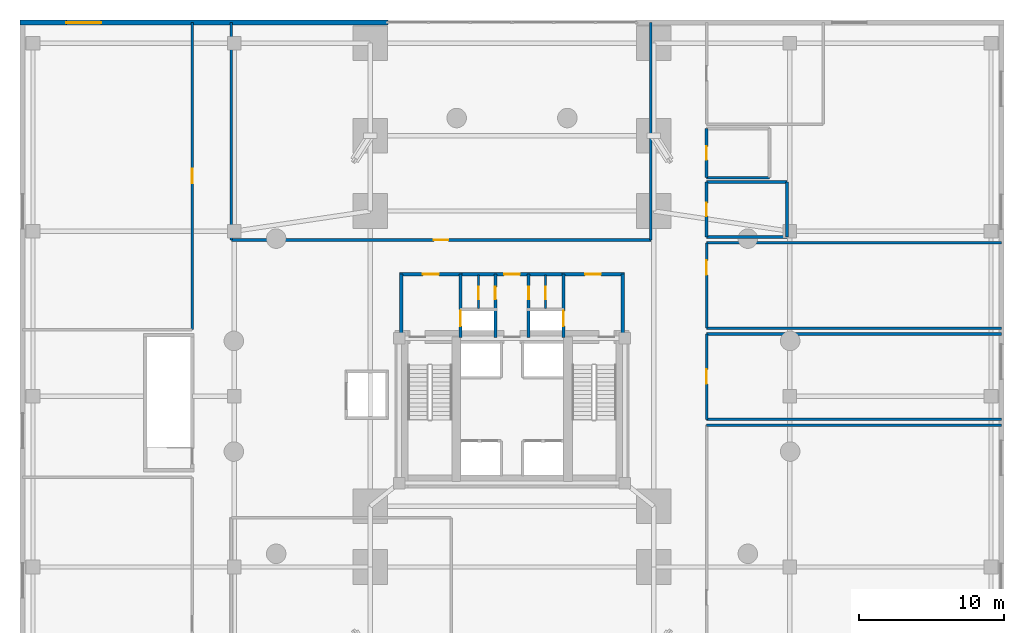
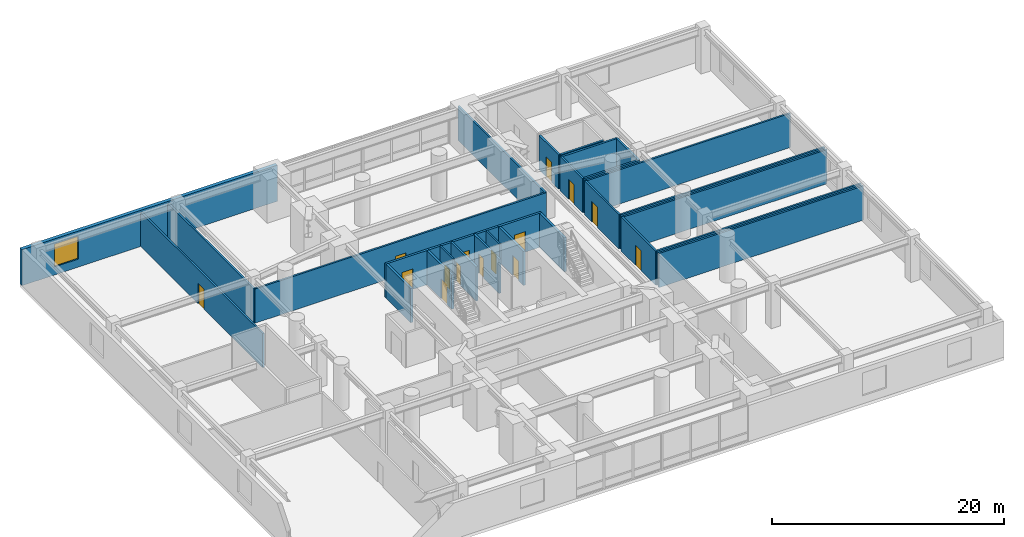
# One storey, part 15 of 17: 29 walls, 15 doors, 1 window, 16 openings.
"""IFC4 building model written with IfcOpenShell, lengths in metres."""

from ifc_helpers import new_model, si_unit, direction, frame, frame_2d, origin, place, context, subcontext, project, spatial, rectangle, extrude, material, layer, layer_set, type_object, element, fill, save


model = new_model("IFC4")

# Units and contexts
model_context = context("Model", 3, precision=1e-05, world=origin(), true_north=direction((0.0, 1.0)))
body_context = subcontext(model_context, "Body", "Model", "MODEL_VIEW")
ifc_project = project(units=[si_unit("LENGTHUNIT", "METRE"), si_unit("AREAUNIT", "SQUARE_METRE"), si_unit("VOLUMEUNIT", "CUBIC_METRE"), si_unit("PLANEANGLEUNIT", "RADIAN"), si_unit("MASSUNIT", "GRAM", prefix="KILO"), si_unit("THERMODYNAMICTEMPERATUREUNIT", "KELVIN"), si_unit("POWERUNIT", "WATT")], contexts=[model_context])

# Site, building, storey
site_placement = place(None, origin())
site = spatial("IfcSite", under=ifc_project, at=site_placement, CompositionType="ELEMENT")
building_placement = place(site_placement, origin())
building = spatial("IfcBuilding", under=site, at=building_placement, Name="Ocrelia Relay Tower", CompositionType="ELEMENT")
storey_placement = place(building_placement, frame((0.0, 0.0, 25.199951171875)))
storey = spatial("IfcBuildingStorey", under=building, at=storey_placement, Name="L05", CompositionType="ELEMENT", Elevation=25.199951171875)

# Wall, opening, door
ifc_material_1 = material(Name="Gypsum Fireboard Partition EI60", Category="gypsum")
ifc_layer_1 = layer(ifc_material_1, 0.179931640625, Name="Gypsum Fireboard Partition EI60")
ifc_layer_set_1 = layer_set([ifc_layer_1], Name="Gypsum Fireboard Partition EI60")
wall_type_1 = type_object("IfcWallType", Name="W-CORR-EI60-180", PredefinedType="PARTITIONING", material=ifc_layer_set_1)
wall_1_placement = place(storey_placement, frame((11.89990234375, 30.60009765625, 0.0), z_axis=(0.0, 0.0, 1.0), x_axis=(0.0, 1.0, 0.0)))
wall_1 = element("IfcWall", 1, at=wall_1_placement, inside=storey, type_object=wall_type_1, Name="L05 Customer Commissioning Laboratory E Partition", PredefinedType="PARTITIONING", context=body_context, shape_type="SweptSolid", body=[
    extrude(rectangle(XDim=21.219970703125, YDim=0.179931640625, at=frame_2d((10.60986328125, 0.0))), origin(), (0.0, 0.0, 1.0), 3.60009765625),
])
opening_1_placement = place(wall_1_placement, frame((10.110107421875, 0.0, 0.0)))
opening_1 = element("IfcOpeningElement", 2, at=opening_1_placement, cuts=wall_1, Name="Opening D-RM100", PredefinedType="OPENING", context=body_context, shape_type="SweptSolid", body=[
    extrude(rectangle(XDim=1.0, YDim=2.14990234375, at=frame_2d((0.5, 1.074951171875))), frame((0.0, 0.10009765625, 0.0), z_axis=(0.0, -1.0, 0.0), x_axis=(1.0, 0.0, 0.0)), (0.0, 0.0, 1.0), 0.199951171875),
])
ifc_material_2 = material(Name="Acoustic oak veneer fire door", Category="wood")
door_type_1 = type_object("IfcDoorType", Name="DR-ROOM-FD60-1000", OperationType="NOTDEFINED", PredefinedType="DOOR", material=ifc_material_2)
door_1_placement = place(opening_1_placement, origin())
door_1 = element("IfcDoor", 3, at=door_1_placement, inside=storey, type_object=door_type_1, Name="L05 Customer Commissioning Laboratory Door", OperationType="SINGLE_SWING_LEFT", OverallHeight=2.14990234375, OverallWidth=1.0, PredefinedType="DOOR", context=body_context, shape_type="SweptSolid", body=[
    extrude(rectangle(XDim=1.0, YDim=2.14990234375, at=frame_2d((0.5, 1.074951171875))), frame((0.0, 0.02490234375, 0.0), z_axis=(0.0, -1.0, 0.0), x_axis=(1.0, 0.0, 0.0)), (0.0, 0.0, 1.0), 0.050048828125),
])
fill(opening_1, door_1)

wall_2_placement = place(storey_placement, frame((14.60009765625, 36.800048828125, 0.0), z_axis=(0.0, 0.0, 1.0), x_axis=(1.0, 0.0, 0.0)))
wall_2 = element("IfcWall", 4, at=wall_2_placement, inside=storey, type_object=wall_type_1, Name="L05 North Executive Seminar Hall S Partition", PredefinedType="PARTITIONING", context=body_context, shape_type="SweptSolid", body=[
    extrude(rectangle(XDim=29.0, YDim=0.179931640625, at=frame_2d((14.5, 0.0))), origin(), (0.0, 0.0, 1.0), 3.60009765625),
])
opening_2_placement = place(wall_2_placement, frame((14.0, 0.0, 0.0)))
opening_2 = element("IfcOpeningElement", 5, at=opening_2_placement, cuts=wall_2, Name="Opening D-RM100", PredefinedType="OPENING", context=body_context, shape_type="SweptSolid", body=[
    extrude(rectangle(XDim=1.0, YDim=2.14990234375, at=frame_2d((0.5, 1.074951171875))), frame((0.0, 0.10009765625, 0.0), z_axis=(0.0, -1.0, 0.0), x_axis=(1.0, 0.0, 0.0)), (0.0, 0.0, 1.0), 0.199951171875),
])
door_2_placement = place(opening_2_placement, origin())
door_2 = element("IfcDoor", 6, at=door_2_placement, inside=storey, type_object=door_type_1, Name="L05 North Executive Seminar Hall Door", OperationType="SINGLE_SWING_LEFT", OverallHeight=2.14990234375, OverallWidth=1.0, PredefinedType="DOOR", context=body_context, shape_type="SweptSolid", body=[
    extrude(rectangle(XDim=1.0, YDim=2.14990234375, at=frame_2d((0.5, 1.074951171875))), frame((0.0, 0.02490234375, 0.0), z_axis=(0.0, -1.0, 0.0), x_axis=(1.0, 0.0, 0.0)), (0.0, 0.0, 1.0), 0.050048828125),
])
fill(opening_2, door_2)

# Walls
for number, where, z_axis, x_axis, name in (
    (7, (43.60009765625, 36.800048828125, 0.0), (0.0, 0.0, 1.0), (0.0, 1.0, 0.0), "L05 North Executive Seminar Hall E Partition"),
    (8, (14.60009765625, 51.820068359375, 0.0), (0.0, 0.0, 1.0), (0.0, -1.0, 0.0), "L05 North Executive Seminar Hall W Partition"),
):
    element("IfcWall", number, at=place(storey_placement, frame(where, z_axis=z_axis, x_axis=x_axis)), inside=storey, type_object=wall_type_1, Name=name, PredefinedType="PARTITIONING", context=body_context, shape_type="SweptSolid", body=[
        extrude(rectangle(XDim=15.02001953125, YDim=0.179931640625, at=frame_2d((7.510009765625, 0.0))), origin(), (0.0, 0.0, 1.0), 3.60009765625),
    ])
wall_3_placement = place(storey_placement, frame((67.820068359375, 24.0, 0.0), z_axis=(0.0, 0.0, 1.0), x_axis=(-1.0, 0.0, 0.0)))
element("IfcWall", 9, at=wall_3_placement, inside=storey, type_object=wall_type_1, Name="L05 Colocation Operations Support Office N Partition", PredefinedType="PARTITIONING", context=body_context, shape_type="SweptSolid", body=[
    extrude(rectangle(XDim=20.3701171875, YDim=0.179931640625, at=frame_2d((10.18505859375, 0.0))), origin(), (0.0, 0.0, 1.0), 3.60009765625),
])

# Wall, opening, door
wall_4_placement = place(storey_placement, frame((47.449951171875, 30.300048828125, 0.0), z_axis=(0.0, 0.0, 1.0), x_axis=(0.0, -1.0, 0.0)))
wall_4 = element("IfcWall", 10, at=wall_4_placement, inside=storey, type_object=wall_type_1, Name="L05 Client Hospitality Lounge W Partition", PredefinedType="PARTITIONING", context=body_context, shape_type="SweptSolid", body=[
    extrude(rectangle(XDim=5.900146484375, YDim=0.179931640625, at=frame_2d((2.9501953125, 0.0))), origin(), (0.0, 0.0, 1.0), 3.60009765625),
])
opening_3_placement = place(wall_4_placement, frame((2.449951171875, 0.0, 0.0)))
opening_3 = element("IfcOpeningElement", 11, at=opening_3_placement, cuts=wall_4, Name="Opening D-RM100", PredefinedType="OPENING", context=body_context, shape_type="SweptSolid", body=[
    extrude(rectangle(XDim=1.0, YDim=2.14990234375, at=frame_2d((0.5, 1.074951171875))), frame((0.0, 0.10009765625, 0.0), z_axis=(0.0, -1.0, 0.0), x_axis=(1.0, 0.0, 0.0)), (0.0, 0.0, 1.0), 0.199951171875),
])
door_3_placement = place(opening_3_placement, origin())
door_3 = element("IfcDoor", 12, at=door_3_placement, inside=storey, type_object=door_type_1, Name="L05 Client Hospitality Lounge Door", OperationType="SINGLE_SWING_LEFT", OverallHeight=2.14990234375, OverallWidth=1.0, PredefinedType="DOOR", context=body_context, shape_type="SweptSolid", body=[
    extrude(rectangle(XDim=1.0, YDim=2.14990234375, at=frame_2d((0.5, 1.074951171875))), frame((0.0, 0.02490234375, 0.0), z_axis=(0.0, -1.0, 0.0), x_axis=(1.0, 0.0, 0.0)), (0.0, 0.0, 1.0), 0.050048828125),
])
fill(opening_3, door_3)

# Walls
for number, where, z_axis, x_axis, name in (
    (13, (47.449951171875, 24.39990234375, 0.0), (0.0, 0.0, 1.0), (1.0, 0.0, 0.0), "L05 Client Hospitality Lounge S Partition"),
    (14, (67.820068359375, 30.300048828125, 0.0), (0.0, 0.0, 1.0), (-1.0, 0.0, 0.0), "L05 Client Hospitality Lounge N Partition"),
):
    element("IfcWall", number, at=place(storey_placement, frame(where, z_axis=z_axis, x_axis=x_axis)), inside=storey, type_object=wall_type_1, Name=name, PredefinedType="PARTITIONING", context=body_context, shape_type="SweptSolid", body=[
        extrude(rectangle(XDim=20.3701171875, YDim=0.179931640625, at=frame_2d((10.18505859375, 0.0))), origin(), (0.0, 0.0, 1.0), 3.60009765625),
    ])

# Wall, opening, door
wall_5_placement = place(storey_placement, frame((47.449951171875, 36.60009765625, 0.0), z_axis=(0.0, 0.0, 1.0), x_axis=(0.0, -1.0, 0.0)))
wall_5 = element("IfcWall", 15, at=wall_5_placement, inside=storey, type_object=wall_type_1, Name="L05 East Skylit Atrium Gallery W Partition", PredefinedType="PARTITIONING", context=body_context, shape_type="SweptSolid", body=[
    extrude(rectangle(XDim=5.900146484375, YDim=0.179931640625, at=frame_2d((2.9501953125, 0.0))), origin(), (0.0, 0.0, 1.0), 3.60009765625),
])
opening_4_placement = place(wall_5_placement, frame((1.219970703125, 0.0, 0.0)))
opening_4 = element("IfcOpeningElement", 16, at=opening_4_placement, cuts=wall_5, Name="Opening D-RM100", PredefinedType="OPENING", context=body_context, shape_type="SweptSolid", body=[
    extrude(rectangle(XDim=1.0, YDim=2.14990234375, at=frame_2d((0.5, 1.074951171875))), frame((0.0, 0.10009765625, 0.0), z_axis=(0.0, -1.0, 0.0), x_axis=(1.0, 0.0, 0.0)), (0.0, 0.0, 1.0), 0.199951171875),
])
door_4_placement = place(opening_4_placement, origin())
door_4 = element("IfcDoor", 17, at=door_4_placement, inside=storey, type_object=door_type_1, Name="L05 East Skylit Atrium Gallery Door", OperationType="SINGLE_SWING_RIGHT", OverallHeight=2.14990234375, OverallWidth=1.0, PredefinedType="DOOR", context=body_context, shape_type="SweptSolid", body=[
    extrude(rectangle(XDim=1.0, YDim=2.14990234375, at=frame_2d((0.5, 1.074951171875))), frame((0.0, 0.02490234375, 0.0), z_axis=(0.0, -1.0, 0.0), x_axis=(1.0, 0.0, 0.0)), (0.0, 0.0, 1.0), 0.050048828125),
])
fill(opening_4, door_4)

# Walls
for number, where, z_axis, x_axis, name in (
    (18, (47.449951171875, 30.699951171875, 0.0), (0.0, 0.0, 1.0), (1.0, 0.0, 0.0), "L05 East Skylit Atrium Gallery S Partition"),
    (19, (67.820068359375, 36.60009765625, 0.0), (0.0, 0.0, 1.0), (-1.0, 0.0, 0.0), "L05 East Skylit Atrium Gallery N Partition"),
):
    element("IfcWall", number, at=place(storey_placement, frame(where, z_axis=z_axis, x_axis=x_axis)), inside=storey, type_object=wall_type_1, Name=name, PredefinedType="PARTITIONING", context=body_context, shape_type="SweptSolid", body=[
        extrude(rectangle(XDim=20.3701171875, YDim=0.179931640625, at=frame_2d((10.18505859375, 0.0))), origin(), (0.0, 0.0, 1.0), 3.60009765625),
    ])

# Wall, opening, window
ifc_material_3 = material(Name="Precast concrete C40/50 with oxide terracotta", Category="masonry")
ifc_layer_2 = layer(ifc_material_3, 0.35009765625, Name="Precast concrete C40/50 with oxide terracotta")
ifc_layer_set_2 = layer_set([ifc_layer_2], Name="Precast concrete C40/50 with oxide terracotta")
wall_type_2 = type_object("IfcWallType", Name="W-EXT-POD-350", PredefinedType="SOLIDWALL", material=ifc_layer_set_2)
wall_6_placement = place(storey_placement, frame((0.010009765625, 51.820068359375, 0.0), z_axis=(0.0, 0.0, 1.0), x_axis=(1.0, 0.0, 0.0)))
wall_6 = element("IfcWall", 20, at=wall_6_placement, inside=storey, type_object=wall_type_2, Name="L05 Oxide Terracotta Podium Wall WN", PredefinedType="SOLIDWALL", context=body_context, shape_type="SweptSolid", body=[
    extrude(rectangle(XDim=25.419921875, YDim=0.35009765625, at=frame_2d((12.7099609375, 0.0))), origin(), (0.0, 0.0, 1.0), 3.800048828125),
])
opening_5_placement = place(wall_6_placement, frame((3.199951171875, 0.0, 0.85009765625)))
opening_5 = element("IfcOpeningElement", 21, at=opening_5_placement, cuts=wall_6, Name="Opening W-01", PredefinedType="OPENING", context=body_context, shape_type="SweptSolid", body=[
    extrude(rectangle(XDim=2.39990234375, YDim=2.39990234375, at=frame_2d((1.199951171875, 1.199951171875))), frame((0.0, 0.18505859375, 0.0), z_axis=(0.0, -1.0, 0.0), x_axis=(1.0, 0.0, 0.0)), (0.0, 0.0, 1.0), 0.3701171875),
])
ifc_material_4 = material(Name="Clear double-glazed low-E glass", Category="glass")
window_type = type_object("IfcWindowType", Name="WIN-POD-2400x2600", PartitioningType="SINGLE_PANEL", PredefinedType="WINDOW", material=ifc_material_4)
window_placement = place(opening_5_placement, origin())
window = element("IfcWindow", 22, at=window_placement, inside=storey, type_object=window_type, Name="L05 Podium Punched Window WN-1", OverallHeight=2.39990234375, OverallWidth=2.39990234375, PartitioningType="SINGLE_PANEL", PredefinedType="WINDOW", context=body_context, shape_type="SweptSolid", body=[
    extrude(rectangle(XDim=2.39990234375, YDim=2.39990234375, at=frame_2d((1.199951171875, 1.199951171875))), frame((0.0, 0.030029296875, 0.0), z_axis=(0.0, -1.0, 0.0), x_axis=(1.0, 0.0, 0.0)), (0.0, 0.0, 1.0), 0.06005859375),
])
fill(opening_5, window)

# Wall
ifc_material_5 = material(Name="Concrete C50/60", Category="concrete")
ifc_layer_3 = layer(ifc_material_5, 0.219970703125, Name="Concrete C50/60")
ifc_layer_set_3 = layer_set([ifc_layer_3], Name="Concrete C50/60")
wall_type_3 = type_object("IfcWallType", Name="W-FFL-EI120-220", PredefinedType="SOLIDWALL", material=ifc_layer_set_3)
wall_7_placement = place(storey_placement, frame((26.35009765625, 30.050048828125, 0.0), z_axis=(0.0, 0.0, 1.0), x_axis=(0.0, 1.0, 0.0)))
element("IfcWall", 23, at=wall_7_placement, inside=storey, type_object=wall_type_3, Name="L05 W Fire Service Lift Lobby West Wall", PredefinedType="SOLIDWALL", context=body_context, shape_type="SweptSolid", body=[
    extrude(rectangle(XDim=4.3798828125, YDim=0.219970703125, at=frame_2d((2.18994140625, 0.0))), origin(), (0.0, 0.0, 1.0), 3.60009765625),
])

# Wall, opening, door
wall_8_placement = place(storey_placement, frame((30.43994140625, 30.050048828125, 0.0), z_axis=(0.0, 0.0, 1.0), x_axis=(0.0, 1.0, 0.0)))
wall_8 = element("IfcWall", 24, at=wall_8_placement, inside=storey, type_object=wall_type_3, Name="L05 W Fire Service Lift Lobby East Wall", PredefinedType="SOLIDWALL", context=body_context, shape_type="SweptSolid", body=[
    extrude(rectangle(XDim=4.3798828125, YDim=0.219970703125, at=frame_2d((2.18994140625, 0.0))), origin(), (0.0, 0.0, 1.0), 3.60009765625),
])
opening_6_placement = place(wall_8_placement, frame((0.800048828125, 0.0, 0.0)))
opening_6 = element("IfcOpeningElement", 25, at=opening_6_placement, cuts=wall_8, Name="Opening LD-FFL1", PredefinedType="OPENING", context=body_context, shape_type="SweptSolid", body=[
    extrude(rectangle(XDim=1.050048828125, YDim=2.10009765625, at=frame_2d((0.52490234375, 1.050048828125))), frame((0.0, 0.1201171875, 0.0), z_axis=(0.0, -1.0, 0.0), x_axis=(1.0, 0.0, 0.0)), (0.0, 0.0, 1.0), 0.239990234375),
])
ifc_material_6 = material(Name="Brushed stainless steel S355 lift landing door", Category="steel")
door_type_2 = type_object("IfcDoorType", Name="DR-LIFT-LAND-1050", OperationType="DOUBLE_DOOR_SLIDING", PredefinedType="USERDEFINED", material=ifc_material_6)
door_5_placement = place(opening_6_placement, origin())
door_5 = element("IfcDoor", 26, at=door_5_placement, inside=storey, type_object=door_type_2, Name="L05 Firefighting Lift FFL1 Sliding Landing Door", ObjectType="LANDING DOOR", OperationType="DOUBLE_DOOR_SLIDING", OverallHeight=2.10009765625, OverallWidth=1.050048828125, PredefinedType="USERDEFINED", context=body_context, shape_type="SweptSolid", body=[
    extrude(rectangle(XDim=1.050048828125, YDim=2.10009765625, at=frame_2d((0.52490234375, 1.050048828125))), frame((0.0, 0.02490234375, 0.0), z_axis=(0.0, -1.0, 0.0), x_axis=(1.0, 0.0, 0.0)), (0.0, 0.0, 1.0), 0.050048828125),
])
fill(opening_6, door_5)

wall_9_placement = place(storey_placement, frame((26.239990234375, 34.429931640625, 0.0), z_axis=(0.0, 0.0, 1.0), x_axis=(1.0, 0.0, 0.0)))
wall_9 = element("IfcWall", 27, at=wall_9_placement, inside=storey, type_object=wall_type_3, Name="L05 W Fire Service Lift Lobby North Wall", PredefinedType="SOLIDWALL", context=body_context, shape_type="SweptSolid", body=[
    extrude(rectangle(XDim=4.31005859375, YDim=0.219970703125, at=frame_2d((2.155029296875, 0.0))), origin(), (0.0, 0.0, 1.0), 3.60009765625),
])
opening_7_placement = place(wall_9_placement, frame((1.60009765625, 0.0, 0.0)))
opening_7 = element("IfcOpeningElement", 28, at=opening_7_placement, cuts=wall_9, Name="Opening D-FD60", PredefinedType="OPENING", context=body_context, shape_type="SweptSolid", body=[
    extrude(rectangle(XDim=1.10009765625, YDim=2.14990234375, at=frame_2d((0.550048828125, 1.074951171875))), frame((0.0, 0.1201171875, 0.0), z_axis=(0.0, -1.0, 0.0), x_axis=(1.0, 0.0, 0.0)), (0.0, 0.0, 1.0), 0.239990234375),
])
ifc_material_7 = material(Name="Timber-core 60-min acoustic fire door", Category="wood")
door_type_3 = type_object("IfcDoorType", Name="DR-LOBBY-FD60-1100", OperationType="NOTDEFINED", PredefinedType="DOOR", material=ifc_material_7)
door_6_placement = place(opening_7_placement, origin())
door_6 = element("IfcDoor", 29, at=door_6_placement, inside=storey, type_object=door_type_3, Name="L05 W Fire Service Lift Lobby Exit Door", OperationType="SINGLE_SWING_RIGHT", OverallHeight=2.14990234375, OverallWidth=1.10009765625, PredefinedType="DOOR", context=body_context, shape_type="SweptSolid", body=[
    extrude(rectangle(XDim=1.10009765625, YDim=2.14990234375, at=frame_2d((0.550048828125, 1.074951171875))), frame((0.0, 0.02490234375, 0.0), z_axis=(0.0, -1.0, 0.0), x_axis=(1.0, 0.0, 0.0)), (0.0, 0.0, 1.0), 0.050048828125),
])
fill(opening_7, door_6)

wall_10_placement = place(storey_placement, frame((37.56005859375, 30.050048828125, 0.0), z_axis=(0.0, 0.0, 1.0), x_axis=(0.0, 1.0, 0.0)))
wall_10 = element("IfcWall", 30, at=wall_10_placement, inside=storey, type_object=wall_type_3, Name="L05 E Fire Service Lift Lobby West Wall", PredefinedType="SOLIDWALL", context=body_context, shape_type="SweptSolid", body=[
    extrude(rectangle(XDim=4.3798828125, YDim=0.219970703125, at=frame_2d((2.18994140625, 0.0))), origin(), (0.0, 0.0, 1.0), 3.60009765625),
])
opening_8_placement = place(wall_10_placement, frame((0.800048828125, 0.0, 0.0)))
opening_8 = element("IfcOpeningElement", 31, at=opening_8_placement, cuts=wall_10, Name="Opening LD-FFL2", PredefinedType="OPENING", context=body_context, shape_type="SweptSolid", body=[
    extrude(rectangle(XDim=1.050048828125, YDim=2.10009765625, at=frame_2d((0.52490234375, 1.050048828125))), frame((0.0, 0.1201171875, 0.0), z_axis=(0.0, -1.0, 0.0), x_axis=(1.0, 0.0, 0.0)), (0.0, 0.0, 1.0), 0.239990234375),
])
door_7_placement = place(opening_8_placement, origin())
door_7 = element("IfcDoor", 32, at=door_7_placement, inside=storey, type_object=door_type_2, Name="L05 Firefighting Lift FFL2 Sliding Landing Door", ObjectType="LANDING DOOR", OperationType="DOUBLE_DOOR_SLIDING", OverallHeight=2.10009765625, OverallWidth=1.050048828125, PredefinedType="USERDEFINED", context=body_context, shape_type="SweptSolid", body=[
    extrude(rectangle(XDim=1.050048828125, YDim=2.10009765625, at=frame_2d((0.52490234375, 1.050048828125))), frame((0.0, 0.02490234375, 0.0), z_axis=(0.0, -1.0, 0.0), x_axis=(1.0, 0.0, 0.0)), (0.0, 0.0, 1.0), 0.050048828125),
])
fill(opening_8, door_7)

# Wall
wall_11_placement = place(storey_placement, frame((41.64990234375, 30.050048828125, 0.0), z_axis=(0.0, 0.0, 1.0), x_axis=(0.0, 1.0, 0.0)))
element("IfcWall", 33, at=wall_11_placement, inside=storey, type_object=wall_type_3, Name="L05 E Fire Service Lift Lobby East Wall", PredefinedType="SOLIDWALL", context=body_context, shape_type="SweptSolid", body=[
    extrude(rectangle(XDim=4.3798828125, YDim=0.219970703125, at=frame_2d((2.18994140625, 0.0))), origin(), (0.0, 0.0, 1.0), 3.60009765625),
])

# Wall, opening, door
wall_12_placement = place(storey_placement, frame((37.449951171875, 34.429931640625, 0.0), z_axis=(0.0, 0.0, 1.0), x_axis=(1.0, 0.0, 0.0)))
wall_12 = element("IfcWall", 34, at=wall_12_placement, inside=storey, type_object=wall_type_3, Name="L05 E Fire Service Lift Lobby North Wall", PredefinedType="SOLIDWALL", context=body_context, shape_type="SweptSolid", body=[
    extrude(rectangle(XDim=4.31005859375, YDim=0.219970703125, at=frame_2d((2.155029296875, 0.0))), origin(), (0.0, 0.0, 1.0), 3.60009765625),
])
opening_9_placement = place(wall_12_placement, frame((1.60009765625, 0.0, 0.0)))
opening_9 = element("IfcOpeningElement", 35, at=opening_9_placement, cuts=wall_12, Name="Opening D-FD60", PredefinedType="OPENING", context=body_context, shape_type="SweptSolid", body=[
    extrude(rectangle(XDim=1.10009765625, YDim=2.14990234375, at=frame_2d((0.550048828125, 1.074951171875))), frame((0.0, 0.1201171875, 0.0), z_axis=(0.0, -1.0, 0.0), x_axis=(1.0, 0.0, 0.0)), (0.0, 0.0, 1.0), 0.239990234375),
])
door_8_placement = place(opening_9_placement, origin())
door_8 = element("IfcDoor", 36, at=door_8_placement, inside=storey, type_object=door_type_3, Name="L05 E Fire Service Lift Lobby Exit Door", OperationType="SINGLE_SWING_RIGHT", OverallHeight=2.14990234375, OverallWidth=1.10009765625, PredefinedType="DOOR", context=body_context, shape_type="SweptSolid", body=[
    extrude(rectangle(XDim=1.10009765625, YDim=2.14990234375, at=frame_2d((0.550048828125, 1.074951171875))), frame((0.0, 0.02490234375, 0.0), z_axis=(0.0, -1.0, 0.0), x_axis=(1.0, 0.0, 0.0)), (0.0, 0.0, 1.0), 0.050048828125),
])
fill(opening_9, door_8)

wall_13_placement = place(storey_placement, frame((30.43994140625, 34.429931640625, 0.0), z_axis=(0.0, 0.0, 1.0), x_axis=(1.0, 0.0, 0.0)))
wall_13 = element("IfcWall", 37, at=wall_13_placement, inside=storey, type_object=wall_type_3, Name="L05 North Core Vestibule Wall", PredefinedType="SOLIDWALL", context=body_context, shape_type="SweptSolid", body=[
    extrude(rectangle(XDim=7.1201171875, YDim=0.219970703125, at=frame_2d((3.56005859375, 0.0))), origin(), (0.0, 0.0, 1.0), 3.60009765625),
])
opening_10_placement = place(wall_13_placement, frame((3.010009765625, 0.0, 0.0)))
opening_10 = element("IfcOpeningElement", 38, at=opening_10_placement, cuts=wall_13, Name="Opening D-FD60", PredefinedType="OPENING", context=body_context, shape_type="SweptSolid", body=[
    extrude(rectangle(XDim=1.10009765625, YDim=2.14990234375, at=frame_2d((0.550048828125, 1.074951171875))), frame((0.0, 0.1201171875, 0.0), z_axis=(0.0, -1.0, 0.0), x_axis=(1.0, 0.0, 0.0)), (0.0, 0.0, 1.0), 0.239990234375),
])
door_9_placement = place(opening_10_placement, origin())
door_9 = element("IfcDoor", 39, at=door_9_placement, inside=storey, type_object=door_type_3, Name="L05 North Core Vestibule Corridor Door", OperationType="SINGLE_SWING_RIGHT", OverallHeight=2.14990234375, OverallWidth=1.10009765625, PredefinedType="DOOR", context=body_context, shape_type="SweptSolid", body=[
    extrude(rectangle(XDim=1.10009765625, YDim=2.14990234375, at=frame_2d((0.550048828125, 1.074951171875))), frame((0.0, 0.02490234375, 0.0), z_axis=(0.0, -1.0, 0.0), x_axis=(1.0, 0.0, 0.0)), (0.0, 0.0, 1.0), 0.050048828125),
])
fill(opening_10, door_9)

ifc_material_8 = material(Name="Acoustic Fireboard Partition EI60", Category="gypsum")
ifc_layer_4 = layer(ifc_material_8, 0.14990234375, Name="Acoustic Fireboard Partition EI60")
ifc_layer_set_4 = layer_set([ifc_layer_4], Name="Acoustic Fireboard Partition EI60")
wall_type_4 = type_object("IfcWallType", Name="W-PART-150", PredefinedType="PARTITIONING", material=ifc_layer_set_4)
wall_14_placement = place(storey_placement, frame((31.68994140625, 32.050048828125, 0.0), z_axis=(0.0, 0.0, 1.0), x_axis=(0.0, 1.0, 0.0)))
wall_14 = element("IfcWall", 40, at=wall_14_placement, inside=storey, type_object=wall_type_4, Name="L05 West Core Support Partition", PredefinedType="PARTITIONING", context=body_context, shape_type="SweptSolid", body=[
    extrude(rectangle(XDim=2.329833984375, YDim=0.14990234375, at=frame_2d((1.1650390625, 0.0))), origin(), (0.0, 0.0, 1.0), 3.60009765625),
])
opening_11_placement = place(wall_14_placement, frame((0.64990234375, 0.0, 0.0)))
opening_11 = element("IfcOpeningElement", 41, at=opening_11_placement, cuts=wall_14, Name="Opening D-RS86", PredefinedType="OPENING", context=body_context, shape_type="SweptSolid", body=[
    extrude(rectangle(XDim=0.860107421875, YDim=2.050048828125, at=frame_2d((0.43017578125, 1.02490234375))), frame((0.0, 0.0849609375, 0.0), z_axis=(0.0, -1.0, 0.0), x_axis=(1.0, 0.0, 0.0)), (0.0, 0.0, 1.0), 0.169921875),
])
ifc_material_9 = material(Name="Steel S355 riser access fire door", Category="steel")
door_type_4 = type_object("IfcDoorType", Name="DR-RISER-TRAP-860", OperationType="NOTDEFINED", PredefinedType="TRAPDOOR", material=ifc_material_9)
door_10_placement = place(opening_11_placement, origin())
door_10 = element("IfcDoor", 42, at=door_10_placement, inside=storey, type_object=door_type_4, Name="L05 West Core Store Connecting Door", OperationType="SINGLE_SWING_LEFT", OverallHeight=2.050048828125, OverallWidth=0.860107421875, PredefinedType="TRAPDOOR", context=body_context, shape_type="SweptSolid", body=[
    extrude(rectangle(XDim=0.860107421875, YDim=2.050048828125, at=frame_2d((0.43017578125, 1.02490234375))), frame((0.0, 0.02490234375, 0.0), z_axis=(0.0, -1.0, 0.0), x_axis=(1.0, 0.0, 0.0)), (0.0, 0.0, 1.0), 0.050048828125),
])
fill(opening_11, door_10)

wall_15_placement = place(storey_placement, frame((36.31005859375, 32.050048828125, 0.0), z_axis=(0.0, 0.0, 1.0), x_axis=(0.0, 1.0, 0.0)))
wall_15 = element("IfcWall", 43, at=wall_15_placement, inside=storey, type_object=wall_type_4, Name="L05 East Core Support Partition", PredefinedType="PARTITIONING", context=body_context, shape_type="SweptSolid", body=[
    extrude(rectangle(XDim=2.329833984375, YDim=0.14990234375, at=frame_2d((1.1650390625, 0.0))), origin(), (0.0, 0.0, 1.0), 3.60009765625),
])
opening_12_placement = place(wall_15_placement, frame((0.64990234375, 0.0, 0.0)))
opening_12 = element("IfcOpeningElement", 44, at=opening_12_placement, cuts=wall_15, Name="Opening D-RS86", PredefinedType="OPENING", context=body_context, shape_type="SweptSolid", body=[
    extrude(rectangle(XDim=0.860107421875, YDim=2.050048828125, at=frame_2d((0.43017578125, 1.02490234375))), frame((0.0, 0.0849609375, 0.0), z_axis=(0.0, -1.0, 0.0), x_axis=(1.0, 0.0, 0.0)), (0.0, 0.0, 1.0), 0.169921875),
])
door_11_placement = place(opening_12_placement, origin())
door_11 = element("IfcDoor", 45, at=door_11_placement, inside=storey, type_object=door_type_4, Name="L05 East Core Store Connecting Door", OperationType="SINGLE_SWING_RIGHT", OverallHeight=2.050048828125, OverallWidth=0.860107421875, PredefinedType="TRAPDOOR", context=body_context, shape_type="SweptSolid", body=[
    extrude(rectangle(XDim=0.860107421875, YDim=2.050048828125, at=frame_2d((0.43017578125, 1.02490234375))), frame((0.0, 0.02490234375, 0.0), z_axis=(0.0, -1.0, 0.0), x_axis=(1.0, 0.0, 0.0)), (0.0, 0.0, 1.0), 0.050048828125),
])
fill(opening_12, door_11)

ifc_material_10 = material(Name="Moisture-Resistant Fireboard Chase Wall EI60", Category="gypsum")
ifc_layer_5 = layer(ifc_material_10, 0.199951171875, Name="Moisture-Resistant Fireboard Chase Wall EI60")
ifc_layer_set_5 = layer_set([ifc_layer_5], Name="Moisture-Resistant Fireboard Chase Wall EI60")
wall_type_5 = type_object("IfcWallType", Name="W-PLUMB-200", PredefinedType="PLUMBINGWALL", material=ifc_layer_set_5)
wall_16_placement = place(storey_placement, frame((47.449951171875, 40.800048828125, 0.0), z_axis=(0.0, 0.0, 1.0), x_axis=(0.0, -1.0, 0.0)))
wall_16 = element("IfcWall", 46, at=wall_16_placement, inside=storey, type_object=wall_type_5, Name="L05 Staff Toilet W Partition", PredefinedType="PLUMBINGWALL", context=body_context, shape_type="SweptSolid", body=[
    extrude(rectangle(XDim=3.800048828125, YDim=0.199951171875, at=frame_2d((1.89990234375, 0.0))), origin(), (0.0, 0.0, 1.0), 3.60009765625),
])
opening_13_placement = place(wall_16_placement, frame((1.43994140625, 0.0, 0.0)))
opening_13 = element("IfcOpeningElement", 47, at=opening_13_placement, cuts=wall_16, Name="Opening D-WC92", PredefinedType="OPENING", context=body_context, shape_type="SweptSolid", body=[
    extrude(rectangle(XDim=0.919921875, YDim=2.10009765625, at=frame_2d((0.4599609375, 1.050048828125))), frame((0.0, 0.10986328125, 0.0), z_axis=(0.0, -1.0, 0.0), x_axis=(1.0, 0.0, 0.0)), (0.0, 0.0, 1.0), 0.219970703125),
])
ifc_material_11 = material(Name="Laminate washroom door", Category="wood")
door_type_5 = type_object("IfcDoorType", Name="DR-WC-920", OperationType="NOTDEFINED", PredefinedType="DOOR", material=ifc_material_11)
door_12_placement = place(opening_13_placement, origin())
door_12 = element("IfcDoor", 48, at=door_12_placement, inside=storey, type_object=door_type_5, Name="L05 Staff Toilet Door", OperationType="SINGLE_SWING_LEFT", OverallHeight=2.10009765625, OverallWidth=0.919921875, PredefinedType="DOOR", context=body_context, shape_type="SweptSolid", body=[
    extrude(rectangle(XDim=0.919921875, YDim=2.10009765625, at=frame_2d((0.4599609375, 1.050048828125))), frame((0.0, 0.02490234375, 0.0), z_axis=(0.0, -1.0, 0.0), x_axis=(1.0, 0.0, 0.0)), (0.0, 0.0, 1.0), 0.050048828125),
])
fill(opening_13, door_12)

# Walls
wall_17_placement = place(storey_placement, frame((47.449951171875, 37.0, 0.0), z_axis=(0.0, 0.0, 1.0), x_axis=(1.0, 0.0, 0.0)))
element("IfcWall", 49, at=wall_17_placement, inside=storey, type_object=wall_type_5, Name="L05 Staff Toilet S Partition", PredefinedType="PLUMBINGWALL", context=body_context, shape_type="SweptSolid", body=[
    extrude(rectangle(XDim=5.550048828125, YDim=0.199951171875, at=frame_2d((2.77490234375, 0.0))), origin(), (0.0, 0.0, 1.0), 3.60009765625),
])
wall_18_placement = place(storey_placement, frame((53.0, 37.0, 0.0), z_axis=(0.0, 0.0, 1.0), x_axis=(0.0, 1.0, 0.0)))
element("IfcWall", 50, at=wall_18_placement, inside=storey, type_object=wall_type_5, Name="L05 Staff Toilet E Partition", PredefinedType="PLUMBINGWALL", context=body_context, shape_type="SweptSolid", body=[
    extrude(rectangle(XDim=3.800048828125, YDim=0.199951171875, at=frame_2d((1.89990234375, 0.0))), origin(), (0.0, 0.0, 1.0), 3.60009765625),
])
wall_19_placement = place(storey_placement, frame((53.0, 40.800048828125, 0.0), z_axis=(0.0, 0.0, 1.0), x_axis=(-1.0, 0.0, 0.0)))
element("IfcWall", 51, at=wall_19_placement, inside=storey, type_object=wall_type_5, Name="L05 Staff Toilet N Partition", PredefinedType="PLUMBINGWALL", context=body_context, shape_type="SweptSolid", body=[
    extrude(rectangle(XDim=5.550048828125, YDim=0.199951171875, at=frame_2d((2.77490234375, 0.0))), origin(), (0.0, 0.0, 1.0), 3.60009765625),
])

# Wall, opening, door
wall_20_placement = place(storey_placement, frame((47.449951171875, 44.5, 0.0), z_axis=(0.0, 0.0, 1.0), x_axis=(0.0, -1.0, 0.0)))
wall_20 = element("IfcWall", 52, at=wall_20_placement, inside=storey, type_object=wall_type_5, Name="L05 Accessible Toilet W Partition", PredefinedType="PLUMBINGWALL", context=body_context, shape_type="SweptSolid", body=[
    extrude(rectangle(XDim=3.39990234375, YDim=0.199951171875, at=frame_2d((1.699951171875, 0.0))), origin(), (0.0, 0.0, 1.0), 3.60009765625),
])
opening_14_placement = place(wall_20_placement, frame((1.239990234375, 0.0, 0.0)))
opening_14 = element("IfcOpeningElement", 53, at=opening_14_placement, cuts=wall_20, Name="Opening D-WC92", PredefinedType="OPENING", context=body_context, shape_type="SweptSolid", body=[
    extrude(rectangle(XDim=0.919921875, YDim=2.10009765625, at=frame_2d((0.4599609375, 1.050048828125))), frame((0.0, 0.10986328125, 0.0), z_axis=(0.0, -1.0, 0.0), x_axis=(1.0, 0.0, 0.0)), (0.0, 0.0, 1.0), 0.219970703125),
])
door_13_placement = place(opening_14_placement, origin())
door_13 = element("IfcDoor", 54, at=door_13_placement, inside=storey, type_object=door_type_5, Name="L05 Accessible Toilet Door", OperationType="SINGLE_SWING_RIGHT", OverallHeight=2.10009765625, OverallWidth=0.919921875, PredefinedType="DOOR", context=body_context, shape_type="SweptSolid", body=[
    extrude(rectangle(XDim=0.919921875, YDim=2.10009765625, at=frame_2d((0.4599609375, 1.050048828125))), frame((0.0, 0.02490234375, 0.0), z_axis=(0.0, -1.0, 0.0), x_axis=(1.0, 0.0, 0.0)), (0.0, 0.0, 1.0), 0.050048828125),
])
fill(opening_14, door_13)

# Wall
wall_21_placement = place(storey_placement, frame((47.449951171875, 41.10009765625, 0.0), z_axis=(0.0, 0.0, 1.0), x_axis=(1.0, 0.0, 0.0)))
element("IfcWall", 55, at=wall_21_placement, inside=storey, type_object=wall_type_5, Name="L05 Accessible Toilet S Partition", PredefinedType="PLUMBINGWALL", context=body_context, shape_type="SweptSolid", body=[
    extrude(rectangle(XDim=4.35009765625, YDim=0.199951171875, at=frame_2d((2.175048828125, 0.0))), origin(), (0.0, 0.0, 1.0), 3.60009765625),
])

# Wall, opening, door
ifc_layer_6 = layer(ifc_material_5, 0.199951171875, Name="Concrete C50/60")
ifc_layer_set_6 = layer_set([ifc_layer_6], Name="Concrete C50/60")
wall_type_6 = type_object("IfcWallType", Name="W-SHAFT-EI120-200", PredefinedType="SOLIDWALL", material=ifc_layer_set_6)
wall_22_placement = place(storey_placement, frame((32.85009765625, 30.050048828125, 0.0), z_axis=(0.0, 0.0, 1.0), x_axis=(0.0, 1.0, 0.0)))
wall_22 = element("IfcWall", 56, at=wall_22_placement, inside=storey, type_object=wall_type_6, Name="L05 FFL1 and Service Vestibule Wall", PredefinedType="SOLIDWALL", context=body_context, shape_type="SweptSolid", body=[
    extrude(rectangle(XDim=4.3798828125, YDim=0.199951171875, at=frame_2d((2.18994140625, 0.0))), origin(), (0.0, 0.0, 1.0), 3.60009765625),
])
opening_15_placement = place(wall_22_placement, frame((2.64990234375, 0.0, 0.0)))
opening_15 = element("IfcOpeningElement", 57, at=opening_15_placement, cuts=wall_22, Name="Opening D-RS86", PredefinedType="OPENING", context=body_context, shape_type="SweptSolid", body=[
    extrude(rectangle(XDim=0.860107421875, YDim=2.050048828125, at=frame_2d((0.43017578125, 1.02490234375))), frame((0.0, 0.10986328125, 0.0), z_axis=(0.0, -1.0, 0.0), x_axis=(1.0, 0.0, 0.0)), (0.0, 0.0, 1.0), 0.219970703125),
])
door_14_placement = place(opening_15_placement, origin())
door_14 = element("IfcDoor", 58, at=door_14_placement, inside=storey, type_object=door_type_4, Name="L05 Core Support Room W Door", OperationType="SINGLE_SWING_LEFT", OverallHeight=2.050048828125, OverallWidth=0.860107421875, PredefinedType="TRAPDOOR", context=body_context, shape_type="SweptSolid", body=[
    extrude(rectangle(XDim=0.860107421875, YDim=2.050048828125, at=frame_2d((0.43017578125, 1.02490234375))), frame((0.0, 0.02490234375, 0.0), z_axis=(0.0, -1.0, 0.0), x_axis=(1.0, 0.0, 0.0)), (0.0, 0.0, 1.0), 0.050048828125),
])
fill(opening_15, door_14)

wall_23_placement = place(storey_placement, frame((35.14990234375, 30.050048828125, 0.0), z_axis=(0.0, 0.0, 1.0), x_axis=(0.0, 1.0, 0.0)))
wall_23 = element("IfcWall", 59, at=wall_23_placement, inside=storey, type_object=wall_type_6, Name="L05 FFL2 and Service Vestibule Wall", PredefinedType="SOLIDWALL", context=body_context, shape_type="SweptSolid", body=[
    extrude(rectangle(XDim=4.3798828125, YDim=0.199951171875, at=frame_2d((2.18994140625, 0.0))), origin(), (0.0, 0.0, 1.0), 3.60009765625),
])
opening_16_placement = place(wall_23_placement, frame((2.64990234375, 0.0, 0.0)))
opening_16 = element("IfcOpeningElement", 60, at=opening_16_placement, cuts=wall_23, Name="Opening D-RS86", PredefinedType="OPENING", context=body_context, shape_type="SweptSolid", body=[
    extrude(rectangle(XDim=0.860107421875, YDim=2.050048828125, at=frame_2d((0.43017578125, 1.02490234375))), frame((0.0, 0.10986328125, 0.0), z_axis=(0.0, -1.0, 0.0), x_axis=(1.0, 0.0, 0.0)), (0.0, 0.0, 1.0), 0.219970703125),
])
door_15_placement = place(opening_16_placement, origin())
door_15 = element("IfcDoor", 61, at=door_15_placement, inside=storey, type_object=door_type_4, Name="L05 Core Support Room E Door", OperationType="SINGLE_SWING_LEFT", OverallHeight=2.050048828125, OverallWidth=0.860107421875, PredefinedType="TRAPDOOR", context=body_context, shape_type="SweptSolid", body=[
    extrude(rectangle(XDim=0.860107421875, YDim=2.050048828125, at=frame_2d((0.43017578125, 1.02490234375))), frame((0.0, 0.02490234375, 0.0), z_axis=(0.0, -1.0, 0.0), x_axis=(1.0, 0.0, 0.0)), (0.0, 0.0, 1.0), 0.050048828125),
])
fill(opening_16, door_15)

save(model, "model.ifc")
